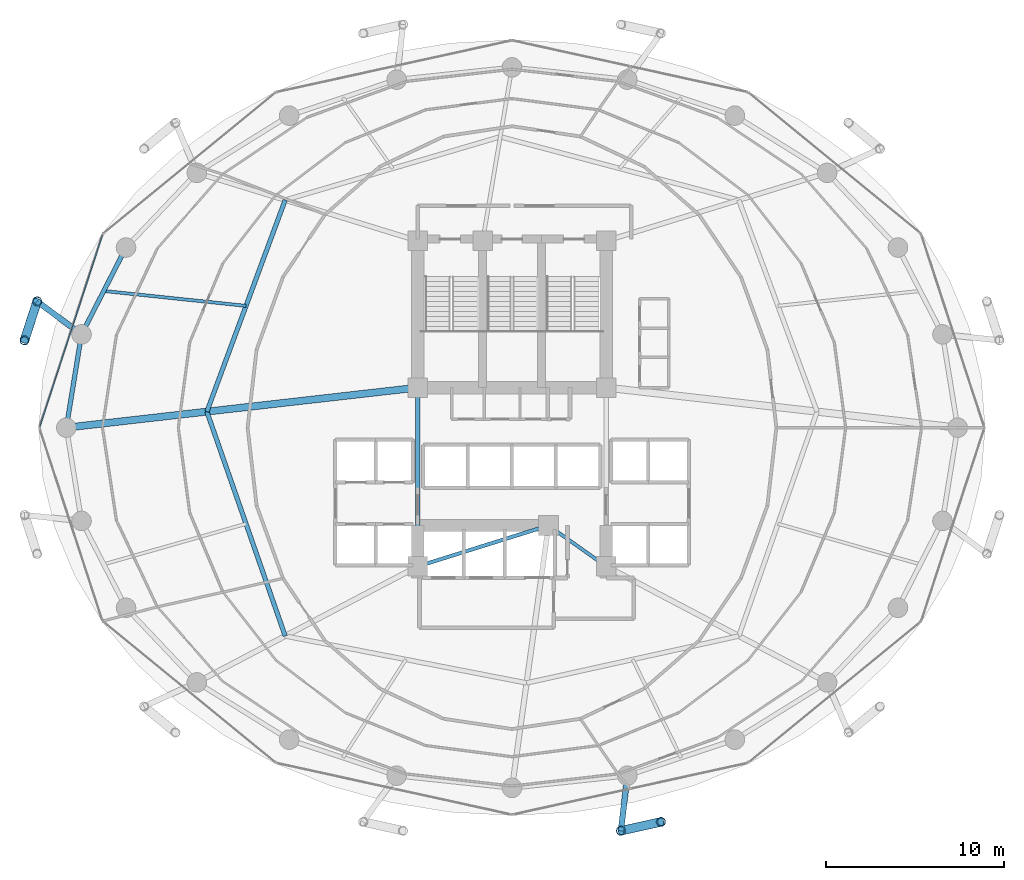
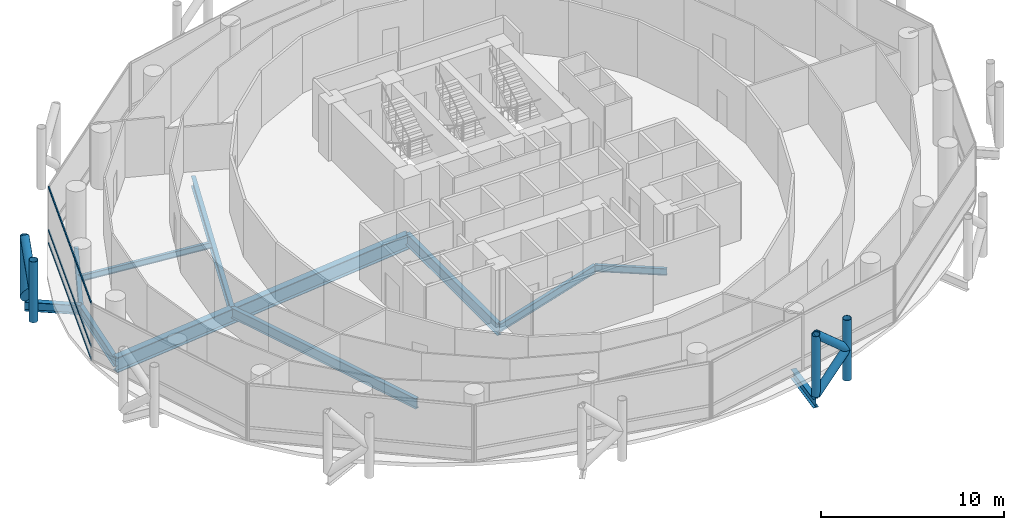
# One storey, part 7 of 26: 11 beams, 11 members, 1 element without a shape of its own.
"""IFC4 building model written with IfcOpenShell, lengths in metres."""

import ifcopenshell
import ifcopenshell.guid

model = None  # the IFC model being written
_history = None  # IfcOwnerHistory: only IFC2X3 demands one
_inside = {}  # id of a spatial element -> (the spatial element, [elements in it])
_under = {}  # id of a project, library or spatial element -> (it, [spatial elements below it])
_declared = {}  # id of a project -> (the project, [libraries it declares])
_typed = {}  # id of a type object -> (the type object, [elements of that type])
_made_of = {}  # id of a material, layer set ... -> (it, [elements and type objects made of it])


def new_model(schema):
    """Start an empty IFC model of exactly this schema.

    Asked for "IFC4X3", IfcOpenShell would pick the latest addendum, in which some entities
    have other attributes; the version numbers below select the first issue.
    IFC2X3 requires an IfcOwnerHistory on every rooted entity: one is made here for all.
    """
    global model, _history
    if schema == "IFC4X3":
        model = ifcopenshell.file(schema_version=(4, 3, 0, 0))
    else:
        model = ifcopenshell.file(schema=schema)
    _inside.clear()
    _under.clear()
    _declared.clear()
    _typed.clear()
    _made_of.clear()
    _history = None
    if model.schema == "IFC2X3":
        org = make("IfcOrganization", Name="unknown")
        user = make(
            "IfcPersonAndOrganization",
            ThePerson=make("IfcPerson", FamilyName="unknown"),
            TheOrganization=org,
        )
        app = make(
            "IfcApplication",
            ApplicationDeveloper=org,
            Version="unknown",
            ApplicationFullName="unknown",
            ApplicationIdentifier="unknown",
        )
        _history = make(
            "IfcOwnerHistory",
            OwningUser=user,
            OwningApplication=app,
            ChangeAction="ADDED",
            CreationDate=0,
        )
    return model


def make(cls, **values):
    """One entity of the class cls with the attributes given. An attribute that is None is left unset."""
    return model.create_entity(
        cls, **{name: value for name, value in values.items() if value is not None}
    )


def rooted(cls, **values):
    """An entity with a GlobalId (a new one), such as an element, a storey or a relation."""
    return make(cls, GlobalId=ifcopenshell.guid.new(), OwnerHistory=_history, **values)


def si_unit(unit_type, name, prefix=None):
    """IfcSIUnit, for example si_unit("LENGTHUNIT", "METRE", prefix="MILLI")."""
    return make("IfcSIUnit", UnitType=unit_type, Prefix=prefix, Name=name)


def assignment(units):
    """IfcUnitAssignment: the units of a project."""
    return None if units is None else make("IfcUnitAssignment", Units=units)


def point(xyz):
    """IfcCartesianPoint."""
    return None if xyz is None else make("IfcCartesianPoint", Coordinates=xyz)


def direction(xyz):
    """IfcDirection."""
    return None if xyz is None else make("IfcDirection", DirectionRatios=xyz)


def frame(location, z_axis=None, x_axis=None):
    """IfcAxis2Placement3D, a coordinate frame: its origin and axes. An axis left out is left unset."""
    return make(
        "IfcAxis2Placement3D",
        Location=point(location),
        Axis=direction(z_axis),
        RefDirection=direction(x_axis),
    )


def frame_2d(location, x_axis=None):
    """IfcAxis2Placement2D, a coordinate frame in the plane: its origin and x axis."""
    return make(
        "IfcAxis2Placement2D", Location=point(location), RefDirection=direction(x_axis)
    )


def origin():
    """The frame at (0, 0, 0) with its axes left unset."""
    return frame((0.0, 0.0, 0.0))


def origin_2d():
    """The frame at (0, 0) in the plane with its x axis left unset."""
    return frame_2d((0.0, 0.0))


def place(relative_to, where):
    """IfcLocalPlacement: puts the frame where relative to a parent placement (None: the world)."""
    return make(
        "IfcLocalPlacement", PlacementRelTo=relative_to, RelativePlacement=where
    )


def context(
    kind, dimensions, precision=None, world=None, true_north=None, identifier=None
):
    """IfcGeometricRepresentationContext, for example the 3D "Model" context."""
    return make(
        "IfcGeometricRepresentationContext",
        ContextIdentifier=identifier,
        ContextType=kind,
        CoordinateSpaceDimension=dimensions,
        Precision=precision,
        WorldCoordinateSystem=world,
        TrueNorth=true_north,
    )


def subcontext(parent, identifier, kind, view, scale=None):
    """IfcGeometricRepresentationSubContext, for example "Body" below "Model"."""
    return make(
        "IfcGeometricRepresentationSubContext",
        ContextIdentifier=identifier,
        ContextType=kind,
        ParentContext=parent,
        TargetScale=scale,
        TargetView=view,
    )


def project(units=None, contexts=None):
    """IfcProject with its units and contexts."""
    return rooted(
        "IfcProject",
        Name="project",
        RepresentationContexts=contexts,
        UnitsInContext=assignment(units),
    )


def spatial(cls, under=None, at=None, **own):
    """A site, building, storey or space (cls), placed at a placement, below another one or the project."""
    s = rooted(cls, ObjectPlacement=at, **own)
    if under is not None:
        _under.setdefault(under.id(), (under, []))[1].append(s)
    return s


def profile(cls, at=None, kind="AREA", **sizes):
    """A parametric profile (cls). Its sizes go by their IFC names, for example OverallWidth=200.0."""
    return make(cls, ProfileType=kind, Position=at, **sizes)


def hollow_rectangle(**sizes):
    """IfcRectangleHollowProfileDef."""
    return profile("IfcRectangleHollowProfileDef", **sizes)


def hollow_circle(**sizes):
    """IfcCircleHollowProfileDef."""
    return profile("IfcCircleHollowProfileDef", **sizes)


def i_section(**sizes):
    """IfcIShapeProfileDef."""
    return profile("IfcIShapeProfileDef", **sizes)


def extrude(swept, where, along, depth):
    """IfcExtrudedAreaSolid: the profile swept, set in the frame where, extruded along a direction by depth."""
    return make(
        "IfcExtrudedAreaSolid",
        SweptArea=swept,
        Position=where,
        ExtrudedDirection=direction(along),
        Depth=depth,
    )


def shape(context_of_items, identifier, shape_type, items):
    """IfcShapeRepresentation: the items that make up one representation, for example the "Body"."""
    return make(
        "IfcShapeRepresentation",
        ContextOfItems=context_of_items,
        RepresentationIdentifier=identifier,
        RepresentationType=shape_type,
        Items=items,
    )


def material(Name=None, Category=None):
    """IfcMaterial."""
    return make("IfcMaterial", Name=Name, Category=Category)


def layer(
    of_material, thickness, ventilated=None, Name=None, Category=None, Priority=None
):
    """IfcMaterialLayer: one layer of a wall or slab, of a material (None: an air gap)."""
    return make(
        "IfcMaterialLayer",
        Material=of_material,
        LayerThickness=thickness,
        IsVentilated=ventilated,
        Name=Name,
        Category=Category,
        Priority=Priority,
    )


def layer_set(layers, Name=None):
    """IfcMaterialLayerSet."""
    return make("IfcMaterialLayerSet", MaterialLayers=layers, LayerSetName=Name)


def material_profile(
    of_material, cross_section, Name=None, Category=None, Priority=None
):
    """IfcMaterialProfile: a cross section and its material."""
    return make(
        "IfcMaterialProfile",
        Name=Name,
        Material=of_material,
        Profile=cross_section,
        Priority=Priority,
        Category=Category,
    )


def profile_set(profiles, Name=None, composite=None):
    """IfcMaterialProfileSet."""
    return make(
        "IfcMaterialProfileSet",
        Name=Name,
        MaterialProfiles=profiles,
        CompositeProfile=composite,
    )


def made_of(thing, what):
    """Note that an element or type object is made of a material, layer set ...; save() writes the relation."""
    if what is not None:
        _made_of.setdefault(what.id(), (what, []))[1].append(thing)
    return thing


def type_object(cls, material=None, **own):
    """A type object (cls), such as IfcWallType, which elements share."""
    return made_of(rooted(cls, **own), material)


def element(
    cls,
    number,
    at=None,
    inside=None,
    cuts=None,
    type_object=None,
    material=None,
    context=None,
    identifier="Body",
    shape_type=None,
    held_by="IfcProductDefinitionShape",
    body=None,
    shapes=None,
    **own,
):
    """One element of the class cls, such as IfcWall. Its Tag is "e" and its number.

    at: its placement. inside: the storey or other place that contains it. cuts: it is an
    opening in that element (IfcRelVoidsElement). A single representation is given by context,
    identifier, shape_type and body (its items); several are given by shapes. held_by: the class
    of the entity that holds the representations. save() writes the other relations.
    """
    e = rooted(cls, Tag="e%d" % number, ObjectPlacement=at, **own)
    if body is not None:
        shapes = [shape(context, identifier, shape_type, body)]
    if shapes is not None:
        e.Representation = make(held_by, Representations=shapes)
    if inside is not None:
        _inside.setdefault(inside.id(), (inside, []))[1].append(e)
    if cuts is not None:
        rooted(
            "IfcRelVoidsElement", RelatingBuildingElement=cuts, RelatedOpeningElement=e
        )
    if type_object is not None:
        _typed.setdefault(type_object.id(), (type_object, []))[1].append(e)
    return made_of(e, material)


def aggregate(whole, parts):
    """IfcRelAggregates: a whole, such as a stair, and the parts it consists of."""
    return rooted("IfcRelAggregates", RelatingObject=whole, RelatedObjects=parts)


def save(model, path):
    """Write the relations noted so far, then the file.

    IfcRelAggregates (storeys below a building ...), IfcRelContainedInSpatialStructure (elements
    in a storey), IfcRelDefinesByType, IfcRelAssociatesMaterial and IfcRelDeclares: one each for
    every whole, place, type object, material and project.
    """
    for whole, parts in _under.values():
        aggregate(whole, parts)
    for where, things in _inside.values():
        rooted(
            "IfcRelContainedInSpatialStructure",
            RelatedElements=things,
            RelatingStructure=where,
        )
    for kind, things in _typed.values():
        rooted("IfcRelDefinesByType", RelatedObjects=things, RelatingType=kind)
    for what, things in _made_of.values():
        rooted("IfcRelAssociatesMaterial", RelatedObjects=things, RelatingMaterial=what)
    for by, libraries in _declared.values():
        rooted("IfcRelDeclares", RelatingContext=by, RelatedDefinitions=libraries)
    model.write(path)


model = new_model("IFC4")

# Units and contexts
model_context = context("Model", 3, precision=1e-05, world=origin(), true_north=direction((0.0, 1.0)))
body_context = subcontext(model_context, "Body", "Model", "MODEL_VIEW")
ifc_project = project(units=[si_unit("LENGTHUNIT", "METRE"), si_unit("AREAUNIT", "SQUARE_METRE"), si_unit("VOLUMEUNIT", "CUBIC_METRE"), si_unit("PLANEANGLEUNIT", "RADIAN"), si_unit("MASSUNIT", "GRAM", prefix="KILO")], contexts=[model_context])

# Site, building, storey
site_placement = place(None, origin())
site = spatial("IfcSite", under=ifc_project, at=site_placement, CompositionType="ELEMENT")
building_placement = place(site_placement, origin())
building = spatial("IfcBuilding", under=site, at=building_placement, Name="Nuhasar Tower", CompositionType="ELEMENT")
storey_placement = place(building_placement, frame((0.0, 0.0, 93.89990234375)))
storey = spatial("IfcBuildingStorey", under=building, at=storey_placement, Name="L22", CompositionType="ELEMENT", Elevation=93.89990234375)

# Beams
ifc_material_1 = material(Name="Steel S355", Category="steel")
ifc_material_profile_1 = material_profile(ifc_material_1, i_section(OverallWidth=0.25390625, OverallDepth=0.68408203125, WebThickness=0.012451171875, FlangeThickness=0.018798828125, at=origin_2d()), Name="W27X94")
ifc_profile_set_1 = profile_set([ifc_material_profile_1], Name="Steel S355")
beam_type_1 = type_object("IfcBeamType", Name="BM-INRING-W27X94", PredefinedType="BEAM", material=ifc_profile_set_1)
beam_1_placement = place(storey_placement, frame((26.251953125, 39.591064453125, -0.591796875), z_axis=(-0.34715757476, -0.937806812881, 0.0), x_axis=(0.937806812881, -0.34715757476, 0.0)))
element("IfcBeam", 1, at=beam_1_placement, inside=storey, type_object=beam_type_1, Name="L22 Inner Header Beam 07", PredefinedType="BEAM", context=body_context, shape_type="SweptSolid", body=[
    extrude(i_section(OverallWidth=0.25390625, OverallDepth=0.68408203125, WebThickness=0.012451171875, FlangeThickness=0.018798828125, at=origin_2d()), origin(), (0.0, 0.0, 1.0), 12.6796875),
])
beam_2_placement = place(storey_placement, frame((21.85009765625, 27.699951171875, -0.591796875), z_axis=(0.329554049858, -0.944136710558, 0.0), x_axis=(0.944136710558, 0.329554049858, 0.0)))
element("IfcBeam", 2, at=beam_2_placement, inside=storey, type_object=beam_type_1, Name="L22 Inner Header Beam 08", PredefinedType="BEAM", context=body_context, shape_type="SweptSolid", body=[
    extrude(i_section(OverallWidth=0.25390625, OverallDepth=0.68408203125, WebThickness=0.012451171875, FlangeThickness=0.018798828125, at=origin_2d()), origin(), (0.0, 0.0, 1.0), 13.35693359375),
])
ifc_material_profile_2 = material_profile(ifc_material_1, i_section(OverallWidth=0.177978515625, OverallDepth=0.406005859375, WebThickness=0.0078125, FlangeThickness=0.0126953125, at=origin_2d()), Name="W16X40")
ifc_profile_set_2 = profile_set([ifc_material_profile_2], Name="Steel S355")
beam_type_2 = type_object("IfcBeamType", Name="BM-JST-W16X40", PredefinedType="JOIST", material=ifc_profile_set_2)
beam_3_placement = place(storey_placement, frame((24.051025390625, 33.64501953125, -0.452880859375), z_axis=(-0.994554594377, 0.104216883485, 0.0), x_axis=(-0.104216883485, -0.994554594377, 0.0)))
element("IfcBeam", 3, at=beam_3_placement, inside=storey, type_object=beam_type_2, Name="L22 Secondary Floor Joist 07", PredefinedType="JOIST", context=body_context, shape_type="SweptSolid", body=[
    extrude(i_section(OverallWidth=0.177978515625, OverallDepth=0.406005859375, WebThickness=0.0078125, FlangeThickness=0.0126953125, at=origin_2d()), origin(), (0.0, 0.0, 1.0), 8.039794921875),
])
ifc_material_profile_3 = material_profile(ifc_material_1, i_section(OverallWidth=0.18994140625, OverallDepth=0.45703125, WebThickness=0.009033203125, FlangeThickness=0.014404296875, at=origin_2d()), Name="W18X50")
ifc_profile_set_3 = profile_set([ifc_material_profile_3], Name="Steel S355")
beam_type_3 = type_object("IfcBeamType", Name="BM-RAD-W18X50", PredefinedType="BEAM", material=ifc_profile_set_3)
beam_4_placement = place(storey_placement, frame((41.050048828125, 21.300048828125, -0.477783203125), z_axis=(0.816265428953, -0.577677028708, 0.0), x_axis=(0.577677028708, 0.816265428953, 0.0)))
element("IfcBeam", 4, at=beam_4_placement, inside=storey, type_object=beam_type_3, Name="L22 Core Ring Girder 2", PredefinedType="BEAM", context=body_context, shape_type="SweptSolid", body=[
    extrude(i_section(OverallWidth=0.18994140625, OverallDepth=0.45703125, WebThickness=0.009033203125, FlangeThickness=0.014404296875, at=origin_2d()), origin(), (0.0, 0.0, 1.0), 3.9814453125),
])
ifc_material_profile_4 = material_profile(ifc_material_1, i_section(OverallWidth=0.208984375, OverallDepth=0.532958984375, WebThickness=0.01025390625, FlangeThickness=0.015625, at=origin_2d()), Name="W21X62")
ifc_profile_set_4 = profile_set([ifc_material_profile_4], Name="Steel S355")
beam_type_4 = type_object("IfcBeamType", Name="BM-RAD-W21X62", PredefinedType="BEAM", material=ifc_profile_set_4)
beam_5_placement = place(storey_placement, frame((33.699951171875, 19.0, -0.515869140625), z_axis=(0.954363709454, 0.298646798205, 0.0), x_axis=(-0.298646798205, 0.954363709454, 0.0)))
element("IfcBeam", 5, at=beam_5_placement, inside=storey, type_object=beam_type_4, Name="L22 Core Ring Girder 1", PredefinedType="BEAM", context=body_context, shape_type="SweptSolid", body=[
    extrude(i_section(OverallWidth=0.208984375, OverallDepth=0.532958984375, WebThickness=0.01025390625, FlangeThickness=0.015625, at=origin_2d()), origin(), (0.0, 0.0, 1.0), 7.70166015625),
])
ifc_material_profile_5 = material_profile(ifc_material_1, i_section(OverallWidth=0.26611328125, OverallDepth=0.779052734375, WebThickness=0.0166015625, FlangeThickness=0.030029296875, at=origin_2d()), Name="W30X148")
ifc_profile_set_5 = profile_set([ifc_material_profile_5], Name="Steel S355")
beam_type_5 = type_object("IfcBeamType", Name="BM-RAD-W30X148", PredefinedType="BEAM", material=ifc_profile_set_5)
beam_6_placement = place(storey_placement, frame((33.699951171875, 29.050048828125, -0.638916015625), z_axis=(0.0, -1.0, 0.0), x_axis=(1.0, 0.0, 0.0)))
element("IfcBeam", 6, at=beam_6_placement, inside=storey, type_object=beam_type_5, Name="L22 Core Ring Girder 8", PredefinedType="BEAM", context=body_context, shape_type="SweptSolid", body=[
    extrude(i_section(OverallWidth=0.26611328125, OverallDepth=0.779052734375, WebThickness=0.0166015625, FlangeThickness=0.030029296875, at=origin_2d()), origin(), (0.0, 0.0, 1.0), 10.050048828125),
])
ifc_material_profile_6 = material_profile(ifc_material_1, i_section(OverallWidth=0.256103515625, OverallDepth=0.693115234375, WebThickness=0.014404296875, FlangeThickness=0.023681640625, at=origin_2d()), Name="W27X114")
ifc_profile_set_6 = profile_set([ifc_material_profile_6], Name="Steel S355")
beam_type_6 = type_object("IfcBeamType", Name="BM-RING-W27X114", PredefinedType="SPANDREL", material=ifc_profile_set_6)
beam_7_placement = place(storey_placement, frame((17.305908203125, 36.925048828125, -0.596923828125), z_axis=(-0.455930023905, -0.890015625314, 0.0), x_axis=(0.890015625314, -0.455930023905, 0.0)))
element("IfcBeam", 7, at=beam_7_placement, inside=storey, type_object=beam_type_6, Name="L22 Perimeter Ring Spandrel 11", PredefinedType="SPANDREL", context=body_context, shape_type="SweptSolid", body=[
    extrude(i_section(OverallWidth=0.256103515625, OverallDepth=0.693115234375, WebThickness=0.014404296875, FlangeThickness=0.023681640625, at=origin_2d()), origin(), (0.0, 0.0, 1.0), 5.487548828125),
])
beam_8_placement = place(storey_placement, frame((14.803955078125, 32.041015625, -0.596923828125), z_axis=(-0.160826635486, -0.986982671235, 0.0), x_axis=(0.986982671235, -0.160826635486, 0.0)))
element("IfcBeam", 8, at=beam_8_placement, inside=storey, type_object=beam_type_6, Name="L22 Perimeter Ring Spandrel 12", PredefinedType="SPANDREL", context=body_context, shape_type="SweptSolid", body=[
    extrude(i_section(OverallWidth=0.256103515625, OverallDepth=0.693115234375, WebThickness=0.014404296875, FlangeThickness=0.023681640625, at=origin_2d()), origin(), (0.0, 0.0, 1.0), 5.31005859375),
])
ifc_material_profile_7 = material_profile(ifc_material_1, i_section(OverallWidth=0.323974609375, OverallDepth=0.611083984375, WebThickness=0.0126953125, FlangeThickness=0.01904296875, at=origin_2d()), Name="W24X104")
ifc_profile_set_7 = profile_set([ifc_material_profile_7], Name="Steel S355")
beam_type_7 = type_object("IfcBeamType", Name="BM-TIE-W24X104", PredefinedType="BEAM", material=ifc_profile_set_7)
beam_9_placement = place(storey_placement, frame((14.803955078125, 32.041015625, -0.554931640625), z_axis=(-0.802151061326, 0.597121155892, 0.0), x_axis=(-0.597121155892, -0.802151061326, 0.0)))
element("IfcBeam", 9, at=beam_9_placement, inside=storey, type_object=beam_type_7, Name="L22 Exoskeleton Node Tie Beam 06", PredefinedType="BEAM", context=body_context, shape_type="SweptSolid", body=[
    extrude(i_section(OverallWidth=0.323974609375, OverallDepth=0.611083984375, WebThickness=0.0126953125, FlangeThickness=0.01904296875, at=origin_2d()), origin(), (0.0, 0.0, 1.0), 3.111328125),
])
beam_10_placement = place(storey_placement, frame((45.48291015625, 7.239990234375, -0.554931640625), z_axis=(-0.115042934281, -0.993360520291, 0.0), x_axis=(0.993360520291, -0.115042934281, 0.0)))
element("IfcBeam", 10, at=beam_10_placement, inside=storey, type_object=beam_type_7, Name="L22 Exoskeleton Node Tie Beam 10", PredefinedType="BEAM", context=body_context, shape_type="SweptSolid", body=[
    extrude(i_section(OverallWidth=0.323974609375, OverallDepth=0.611083984375, WebThickness=0.0126953125, FlangeThickness=0.01904296875, at=origin_2d()), origin(), (0.0, 0.0, 1.0), 3.11962890625),
])
ifc_material_2 = material(Name="Steel S460", Category="steel")
ifc_material_profile_8 = material_profile(ifc_material_2, i_section(OverallWidth=0.40087890625, OverallDepth=1.010009765625, WebThickness=0.023681640625, FlangeThickness=0.0419921875, at=origin_2d()), Name="W40X297")
ifc_profile_set_8 = profile_set([ifc_material_profile_8], Name="Steel S460")
beam_type_8 = type_object("IfcBeamType", Name="BM-XFER-W40X297", PredefinedType="USERDEFINED", material=ifc_profile_set_8)
beam_11_placement = place(storey_placement, frame((33.699951171875, 29.050048828125, -0.7548828125), z_axis=(-0.993573147212, -0.113191877531, 0.0), x_axis=(0.113191877531, -0.993573147212, 0.0)))
element("IfcBeam", 11, at=beam_11_placement, inside=storey, type_object=beam_type_8, Name="L22 Radial Floor Girder 08", ObjectType="GIRDER", PredefinedType="USERDEFINED", context=body_context, shape_type="SweptSolid", body=[
    extrude(i_section(OverallWidth=0.40087890625, OverallDepth=1.010009765625, WebThickness=0.023681640625, FlangeThickness=0.0419921875, at=origin_2d()), origin(), (0.0, 0.0, 1.0), 19.877685546875),
])

# Curtain wall, members
ifc_material_3 = material(Name="Aluminium 6063-T6", Category="aluminium")
ifc_layer = layer(ifc_material_3, 0.199951171875)
ifc_layer_set = layer_set([ifc_layer], Name="Aluminium 6063-T6")
curtain_wall_type = type_object("IfcCurtainWallType", Name="CW-Z1-OFF", PredefinedType="NOTDEFINED", material=ifc_layer_set)
curtain_wall_placement = place(storey_placement, origin())
curtain_wall = element("IfcCurtainWall", 12, at=curtain_wall_placement, inside=storey, type_object=curtain_wall_type, Name="L22 Unitised Curtain Wall 06", PredefinedType="NOTDEFINED")
ifc_material_profile_9 = material_profile(ifc_material_3, hollow_rectangle(XDim=0.06494140625, YDim=0.14990234375, WallThickness=0.00439453125, at=origin_2d()), Name="CWT-2")
ifc_profile_set_9 = profile_set([ifc_material_profile_9], Name="Aluminium 6063-T6")
member_type_1 = type_object("IfcMemberType", Name="CW-TRN-S2", PredefinedType="USERDEFINED", material=ifc_profile_set_9)
member_1_placement = place(storey_placement, frame((15.977783203125, 37.6181640625, 0.03271484375), z_axis=(-0.31082506089, -0.950467138581, 0.0), x_axis=(0.950467138581, -0.31082506089, 0.0)))
member_1 = element("IfcMember", 13, at=member_1_placement, type_object=member_type_1, Name="CW-Z1 transom 1.1", ObjectType="TRANSOM", PredefinedType="USERDEFINED", context=body_context, shape_type="SweptSolid", body=[
    extrude(hollow_rectangle(XDim=0.06494140625, YDim=0.14990234375, WallThickness=0.00439453125, at=origin_2d()), origin(), (0.0, 0.0, 1.0), 11.31689453125),
])
member_2_placement = place(storey_placement, frame((15.977783203125, 37.6181640625, 0.900146484375), z_axis=(-0.31082506089, -0.950467138581, 0.0), x_axis=(0.950467138581, -0.31082506089, 0.0)))
member_2 = element("IfcMember", 14, at=member_2_placement, type_object=member_type_1, Name="CW-Z1 transom 1.2", ObjectType="TRANSOM", PredefinedType="USERDEFINED", context=body_context, shape_type="SweptSolid", body=[
    extrude(hollow_rectangle(XDim=0.06494140625, YDim=0.14990234375, WallThickness=0.00439453125, at=origin_2d()), origin(), (0.0, 0.0, 1.0), 11.31689453125),
])
member_3_placement = place(storey_placement, frame((15.977783203125, 37.6181640625, 3.767578125), z_axis=(-0.31082506089, -0.950467138581, 0.0), x_axis=(0.950467138581, -0.31082506089, 0.0)))
member_3 = element("IfcMember", 15, at=member_3_placement, type_object=member_type_1, Name="CW-Z1 transom 1.3", ObjectType="TRANSOM", PredefinedType="USERDEFINED", context=body_context, shape_type="SweptSolid", body=[
    extrude(hollow_rectangle(XDim=0.06494140625, YDim=0.14990234375, WallThickness=0.00439453125, at=origin_2d()), origin(), (0.0, 0.0, 1.0), 11.31689453125),
])
aggregate(curtain_wall, [member_1, member_2, member_3])

# Members
ifc_material_profile_10 = material_profile(ifc_material_2, hollow_circle(Radius=0.25390625, WallThickness=0.025390625, at=origin_2d()), Name="HSS508X25.4")
ifc_profile_set_10 = profile_set([ifc_material_profile_10], Name="Steel S460")
member_type_2 = type_object("IfcMemberType", Name="EXO-BRONZE-508", PredefinedType="BRACE", material=ifc_profile_set_10)
for number, where, z_axis, x_axis, name in (
    (16, (12.30810546875, 33.89892578125, 0.0), (0.0, 0.0, 1.0), (1.0, 0.0, 0.0), "L22 Exoskeleton Chord Column EC-06A"),
    (17, (11.60009765625, 31.7099609375, 0.0), (0.0, 0.0, 1.0), (1.0, 0.0, 0.0), "L22 Exoskeleton Chord Column EC-06B"),
    (18, (45.1240234375, 4.14111328125, 0.0), (0.0, 0.0, 1.0), (1.0, 0.0, 0.0), "L22 Exoskeleton Chord Column EC-10A"),
    (19, (47.3701171875, 4.639892578125, 0.0), (0.0, 0.0, 1.0), (1.0, 0.0, 0.0), "L22 Exoskeleton Chord Column EC-10B"),
):
    element("IfcMember", number, at=place(storey_placement, frame(where, z_axis=z_axis, x_axis=x_axis)), inside=storey, type_object=member_type_2, Name=name, PredefinedType="BRACE", context=body_context, shape_type="SweptSolid", body=[
        extrude(hollow_circle(Radius=0.25390625, WallThickness=0.025390625, at=origin_2d()), origin(), (0.0, 0.0, 1.0), 4.050048828125),
    ])
member_4_placement = place(storey_placement, frame((12.30810546875, 33.89892578125, 0.0), z_axis=(-0.230999678299, -0.714187281251, 0.660738734997), x_axis=(0.951468282519, -0.307746823478, 0.0)))
element("IfcMember", 20, at=member_4_placement, inside=storey, type_object=member_type_2, Name="L22 Bronze Diagrid Brace W1-06", PredefinedType="BRACE", context=body_context, shape_type="SweptSolid", body=[
    extrude(hollow_circle(Radius=0.25390625, WallThickness=0.025390625, at=origin_2d()), origin(), (0.0, 0.0, 1.0), 3.06494140625),
])
member_5_placement = place(storey_placement, frame((11.60009765625, 31.7099609375, 2.025146484375), z_axis=(0.231011836313, 0.714224870475, 0.660693851854), x_axis=(-0.951468282519, 0.307746823478, 0.0)))
element("IfcMember", 21, at=member_5_placement, inside=storey, type_object=member_type_2, Name="L22 Bronze Diagrid Brace W2-06", PredefinedType="BRACE", context=body_context, shape_type="SweptSolid", body=[
    extrude(hollow_circle(Radius=0.25390625, WallThickness=0.025390625, at=origin_2d()), origin(), (0.0, 0.0, 1.0), 3.064697265625),
])
member_6_placement = place(storey_placement, frame((45.1240234375, 4.14111328125, 0.0), z_axis=(0.732792408767, 0.162727705556, 0.660707938122), x_axis=(-0.216784396973, 0.976219506683, 0.0)))
element("IfcMember", 22, at=member_6_placement, inside=storey, type_object=member_type_2, Name="L22 Bronze Diagrid Brace W1-10", PredefinedType="BRACE", context=body_context, shape_type="SweptSolid", body=[
    extrude(hollow_circle(Radius=0.25390625, WallThickness=0.025390625, at=origin_2d()), origin(), (0.0, 0.0, 1.0), 3.065185546875),
])
member_7_placement = place(storey_placement, frame((47.3701171875, 4.639892578125, 2.025146484375), z_axis=(-0.732830973624, -0.162736269469, 0.66066305383), x_axis=(0.216784396973, -0.976219506683, 0.0)))
element("IfcMember", 23, at=member_7_placement, inside=storey, type_object=member_type_2, Name="L22 Bronze Diagrid Brace W2-10", PredefinedType="BRACE", context=body_context, shape_type="SweptSolid", body=[
    extrude(hollow_circle(Radius=0.25390625, WallThickness=0.025390625, at=origin_2d()), origin(), (0.0, 0.0, 1.0), 3.06494140625),
])

save(model, "model.ifc")
